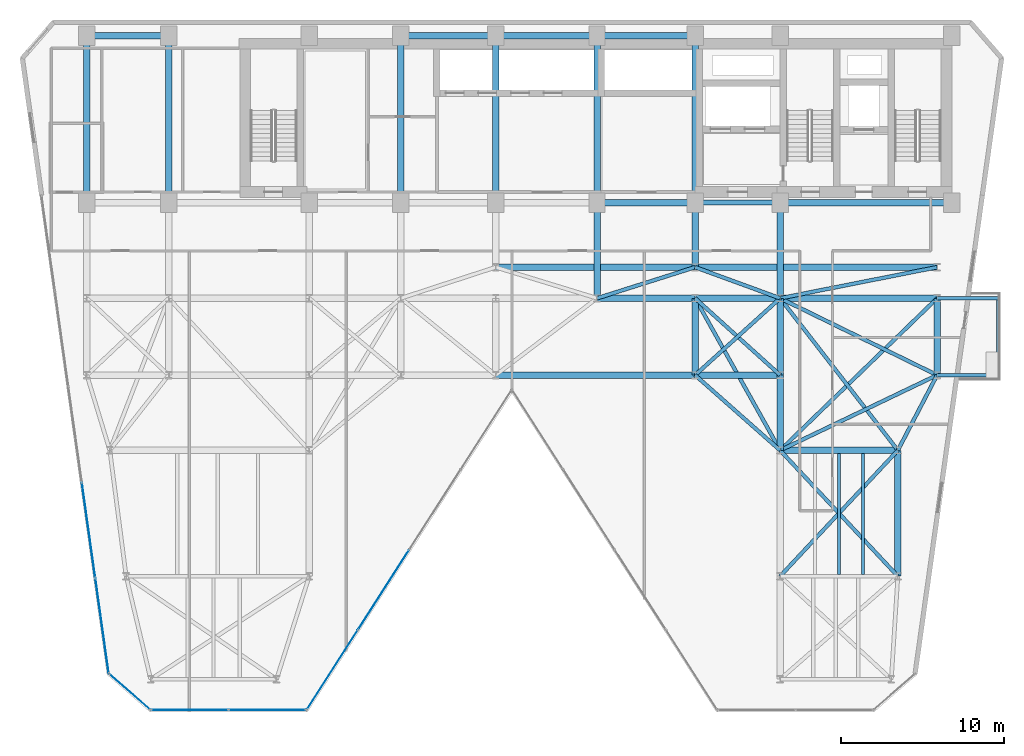
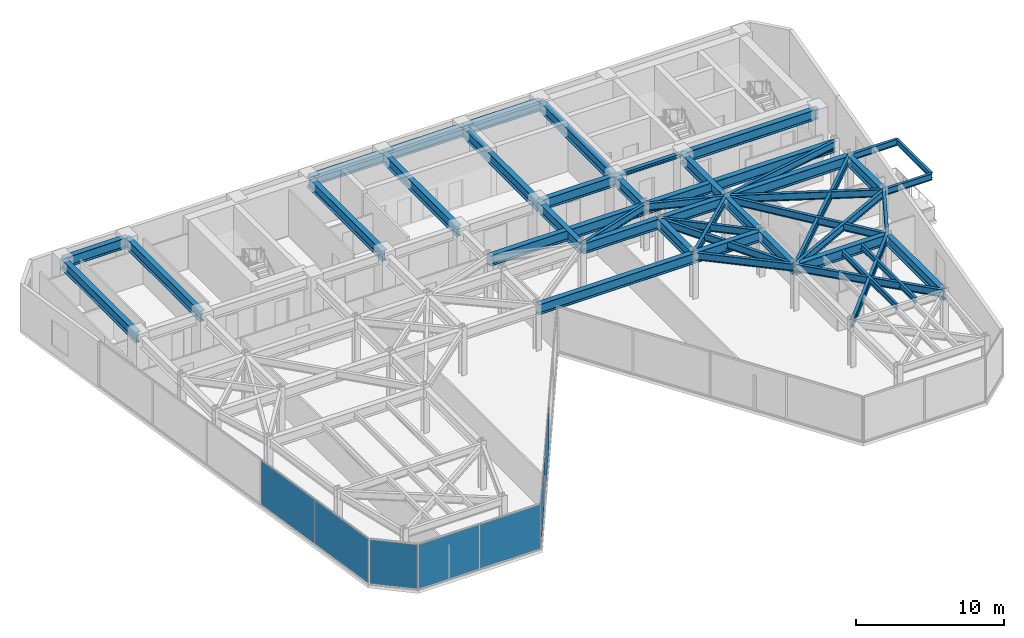
# One storey, part 20 of 26: 48 beams, 7 plates, 4 elements without a shape of their own.
"""IFC4 building model written with IfcOpenShell, lengths in metres."""

from ifc_helpers import new_model, si_unit, direction, frame, origin, origin_2d, place, context, subcontext, project, spatial, rectangle, i_section, extrude, material, layer, layer_set, material_profile, profile_set, type_object, element, aggregate, save


model = new_model("IFC4")

# Units and contexts
model_context = context("Model", 3, precision=1e-05, world=origin(), true_north=direction((0.0, 1.0)))
body_context = subcontext(model_context, "Body", "Model", "MODEL_VIEW")
ifc_project = project(units=[si_unit("LENGTHUNIT", "METRE"), si_unit("AREAUNIT", "SQUARE_METRE"), si_unit("VOLUMEUNIT", "CUBIC_METRE"), si_unit("PLANEANGLEUNIT", "RADIAN"), si_unit("MASSUNIT", "GRAM", prefix="KILO")], contexts=[model_context])

# Site, building, storey
site_placement = place(None, origin())
site = spatial("IfcSite", under=ifc_project, at=site_placement, CompositionType="ELEMENT")
building_placement = place(site_placement, origin())
building = spatial("IfcBuilding", under=site, at=building_placement, Name="Kravanh Interchange Tower", CompositionType="ELEMENT")
storey_placement = place(building_placement, frame((0.0, 0.0, 128.0)))
storey = spatial("IfcBuildingStorey", under=building, at=storey_placement, Name="L30", CompositionType="ELEMENT", Elevation=128.0)

# Beams
ifc_material_1 = material(Name="Structural Steel S355", Category="steel")
ifc_material_profile_1 = material_profile(ifc_material_1, i_section(OverallWidth=0.39990234375, OverallDepth=0.85595703125, WebThickness=0.018310546875, FlangeThickness=0.029296875, FilletRadius=0.02490234375, at=origin_2d()), Name="W33X201")
ifc_profile_set_1 = profile_set([ifc_material_profile_1], Name="Structural Steel S355")
beam_type_1 = type_object("IfcBeamType", Name="Floor Beam W33X201 Structural Steel S355", PredefinedType="BEAM", material=ifc_profile_set_1)
beam_1_placement = place(storey_placement, frame((66.5, 37.35009765625, 3.322021484375), z_axis=(-1.0, 0.0, 0.0), x_axis=(0.0, -1.0, 0.0)))
element("IfcBeam", 1, at=beam_1_placement, inside=storey, type_object=beam_type_1, Name="L30 Primary Floor Girder 5", PredefinedType="BEAM", context=body_context, shape_type="SweptSolid", body=[
    extrude(i_section(OverallWidth=0.39990234375, OverallDepth=0.85595703125, WebThickness=0.018310546875, FlangeThickness=0.029296875, FilletRadius=0.02490234375, at=origin_2d()), origin(), (0.0, 0.0, 1.0), 10.5),
])
beam_2_placement = place(storey_placement, frame((56.0, 37.35009765625, 3.322021484375), z_axis=(0.0, -1.0, 0.0), x_axis=(1.0, 0.0, 0.0)))
element("IfcBeam", 2, at=beam_2_placement, inside=storey, type_object=beam_type_1, Name="L30 Primary Floor Girder 7", PredefinedType="BEAM", context=body_context, shape_type="SweptSolid", body=[
    extrude(i_section(OverallWidth=0.39990234375, OverallDepth=0.85595703125, WebThickness=0.018310546875, FlangeThickness=0.029296875, FilletRadius=0.02490234375, at=origin_2d()), origin(), (0.0, 0.0, 1.0), 5.85009765625),
])
beam_3_placement = place(storey_placement, frame((50.800048828125, 47.550048828125, 3.322021484375), z_axis=(-1.0, 0.0, 0.0), x_axis=(0.0, -1.0, 0.0)))
element("IfcBeam", 3, at=beam_3_placement, inside=storey, type_object=beam_type_1, Name="L30 Primary Floor Girder 8", PredefinedType="BEAM", context=body_context, shape_type="SweptSolid", body=[
    extrude(i_section(OverallWidth=0.39990234375, OverallDepth=0.85595703125, WebThickness=0.018310546875, FlangeThickness=0.029296875, FilletRadius=0.02490234375, at=origin_2d()), origin(), (0.0, 0.0, 1.0), 6.0),
])
beam_4_placement = place(storey_placement, frame((50.800048828125, 47.550048828125, 3.322021484375), z_axis=(0.0, -1.0, 0.0), x_axis=(1.0, 0.0, 0.0)))
element("IfcBeam", 4, at=beam_4_placement, inside=storey, type_object=beam_type_1, Name="L30 Primary Floor Girder 9", PredefinedType="BEAM", context=body_context, shape_type="SweptSolid", body=[
    extrude(i_section(OverallWidth=0.39990234375, OverallDepth=0.85595703125, WebThickness=0.018310546875, FlangeThickness=0.029296875, FilletRadius=0.02490234375, at=origin_2d()), origin(), (0.0, 0.0, 1.0), 10.199951171875),
])
beam_5_placement = place(storey_placement, frame((50.800048828125, 37.35009765625, 3.322021484375), z_axis=(0.0, -1.0, 0.0), x_axis=(1.0, 0.0, 0.0)))
element("IfcBeam", 5, at=beam_5_placement, inside=storey, type_object=beam_type_1, Name="L30 Primary Floor Girder 10", PredefinedType="BEAM", context=body_context, shape_type="SweptSolid", body=[
    extrude(i_section(OverallWidth=0.39990234375, OverallDepth=0.85595703125, WebThickness=0.018310546875, FlangeThickness=0.029296875, FilletRadius=0.02490234375, at=origin_2d()), origin(), (0.0, 0.0, 1.0), 3.9501953125),
])
beam_6_placement = place(storey_placement, frame((50.800048828125, 37.35009765625, 3.322021484375), z_axis=(-1.0, 0.0, 0.0), x_axis=(0.0, -1.0, 0.0)))
element("IfcBeam", 6, at=beam_6_placement, inside=storey, type_object=beam_type_1, Name="L30 Primary Floor Girder 11", PredefinedType="BEAM", context=body_context, shape_type="SweptSolid", body=[
    extrude(i_section(OverallWidth=0.39990234375, OverallDepth=0.85595703125, WebThickness=0.018310546875, FlangeThickness=0.029296875, FilletRadius=0.02490234375, at=origin_2d()), origin(), (0.0, 0.0, 1.0), 6.0),
])
beam_7_placement = place(storey_placement, frame((44.800048828125, 37.35009765625, 3.322021484375), z_axis=(0.0, -1.0, 0.0), x_axis=(1.0, 0.0, 0.0)))
element("IfcBeam", 7, at=beam_7_placement, inside=storey, type_object=beam_type_1, Name="L30 Primary Floor Girder 12", PredefinedType="BEAM", context=body_context, shape_type="SweptSolid", body=[
    extrude(i_section(OverallWidth=0.39990234375, OverallDepth=0.85595703125, WebThickness=0.018310546875, FlangeThickness=0.029296875, FilletRadius=0.02490234375, at=origin_2d()), origin(), (0.0, 0.0, 1.0), 5.85009765625),
])
beam_8_placement = place(storey_placement, frame((44.800048828125, 37.35009765625, 3.322021484375), z_axis=(0.0, 1.0, 0.0), x_axis=(-1.0, 0.0, 0.0)))
element("IfcBeam", 8, at=beam_8_placement, inside=storey, type_object=beam_type_1, Name="L30 Primary Floor Girder 14", PredefinedType="BEAM", context=body_context, shape_type="SweptSolid", body=[
    extrude(i_section(OverallWidth=0.39990234375, OverallDepth=0.85595703125, WebThickness=0.018310546875, FlangeThickness=0.029296875, FilletRadius=0.02490234375, at=origin_2d()), origin(), (0.0, 0.0, 1.0), 10.199951171875),
])
beam_9_placement = place(storey_placement, frame((44.800048828125, 47.550048828125, 3.322021484375), z_axis=(-1.0, 0.0, 0.0), x_axis=(0.0, -1.0, 0.0)))
element("IfcBeam", 9, at=beam_9_placement, inside=storey, type_object=beam_type_1, Name="L30 Primary Floor Girder 15", PredefinedType="BEAM", context=body_context, shape_type="SweptSolid", body=[
    extrude(i_section(OverallWidth=0.39990234375, OverallDepth=0.85595703125, WebThickness=0.018310546875, FlangeThickness=0.029296875, FilletRadius=0.02490234375, at=origin_2d()), origin(), (0.0, 0.0, 1.0), 6.199951171875),
])
beam_10_placement = place(storey_placement, frame((38.60009765625, 37.35009765625, 3.322021484375), z_axis=(0.0, 1.0, 0.0), x_axis=(-1.0, 0.0, 0.0)))
element("IfcBeam", 10, at=beam_10_placement, inside=storey, type_object=beam_type_1, Name="L30 Primary Floor Girder 18", PredefinedType="BEAM", context=body_context, shape_type="SweptSolid", body=[
    extrude(i_section(OverallWidth=0.39990234375, OverallDepth=0.85595703125, WebThickness=0.018310546875, FlangeThickness=0.029296875, FilletRadius=0.02490234375, at=origin_2d()), origin(), (0.0, 0.0, 1.0), 10.199951171875),
])
beam_11_placement = place(storey_placement, frame((38.60009765625, 47.550048828125, 3.322021484375), z_axis=(-1.0, 0.0, 0.0), x_axis=(0.0, -1.0, 0.0)))
element("IfcBeam", 11, at=beam_11_placement, inside=storey, type_object=beam_type_1, Name="L30 Primary Floor Girder 19", PredefinedType="BEAM", context=body_context, shape_type="SweptSolid", body=[
    extrude(i_section(OverallWidth=0.39990234375, OverallDepth=0.85595703125, WebThickness=0.018310546875, FlangeThickness=0.029296875, FilletRadius=0.02490234375, at=origin_2d()), origin(), (0.0, 0.0, 1.0), 5.800048828125),
])
for number, where, z_axis, x_axis, name in (
    (12, (32.800048828125, 37.35009765625, 3.322021484375), (0.0, 1.0, 0.0), (-1.0, 0.0, 0.0), "L30 Primary Floor Girder 22"),
    (13, (18.60009765625, 37.35009765625, 3.322021484375), (0.0, 1.0, 0.0), (-1.0, 0.0, 0.0), "L30 Primary Floor Girder 30"),
):
    element("IfcBeam", number, at=place(storey_placement, frame(where, z_axis=z_axis, x_axis=x_axis)), inside=storey, type_object=beam_type_1, Name=name, PredefinedType="BEAM", context=body_context, shape_type="SweptSolid", body=[
        extrude(i_section(OverallWidth=0.39990234375, OverallDepth=0.85595703125, WebThickness=0.018310546875, FlangeThickness=0.029296875, FilletRadius=0.02490234375, at=origin_2d()), origin(), (0.0, 0.0, 1.0), 10.199951171875),
    ])
beam_12_placement = place(storey_placement, frame((18.60009765625, 47.550048828125, 3.322021484375), z_axis=(-1.0, 0.0, 0.0), x_axis=(0.0, -1.0, 0.0)))
element("IfcBeam", 14, at=beam_12_placement, inside=storey, type_object=beam_type_1, Name="L30 Primary Floor Girder 31", PredefinedType="BEAM", context=body_context, shape_type="SweptSolid", body=[
    extrude(i_section(OverallWidth=0.39990234375, OverallDepth=0.85595703125, WebThickness=0.018310546875, FlangeThickness=0.029296875, FilletRadius=0.02490234375, at=origin_2d()), origin(), (0.0, 0.0, 1.0), 5.0),
])
beam_13_placement = place(storey_placement, frame((13.60009765625, 37.35009765625, 3.322021484375), z_axis=(0.0, 1.0, 0.0), x_axis=(-1.0, 0.0, 0.0)))
element("IfcBeam", 15, at=beam_13_placement, inside=storey, type_object=beam_type_1, Name="L30 Primary Floor Girder 33", PredefinedType="BEAM", context=body_context, shape_type="SweptSolid", body=[
    extrude(i_section(OverallWidth=0.39990234375, OverallDepth=0.85595703125, WebThickness=0.018310546875, FlangeThickness=0.029296875, FilletRadius=0.02490234375, at=origin_2d()), origin(), (0.0, 0.0, 1.0), 10.199951171875),
])
beam_14_placement = place(storey_placement, frame((38.60009765625, 26.800048828125, 3.322021484375), z_axis=(1.0, 0.0, 0.0), x_axis=(0.0, 1.0, 0.0)))
element("IfcBeam", 16, at=beam_14_placement, inside=storey, type_object=beam_type_1, Name="L30 Primary Floor Girder 56", PredefinedType="BEAM", context=body_context, shape_type="SweptSolid", body=[
    extrude(i_section(OverallWidth=0.39990234375, OverallDepth=0.85595703125, WebThickness=0.018310546875, FlangeThickness=0.029296875, FilletRadius=0.02490234375, at=origin_2d()), origin(), (0.0, 0.0, 1.0), 12.199951171875),
])
beam_15_placement = place(storey_placement, frame((50.800048828125, 26.800048828125, 3.322021484375), z_axis=(0.0, 1.0, 0.0), x_axis=(-1.0, 0.0, 0.0)))
element("IfcBeam", 17, at=beam_15_placement, inside=storey, type_object=beam_type_1, Name="L30 Primary Floor Girder 57", PredefinedType="BEAM", context=body_context, shape_type="SweptSolid", body=[
    extrude(i_section(OverallWidth=0.39990234375, OverallDepth=0.85595703125, WebThickness=0.018310546875, FlangeThickness=0.029296875, FilletRadius=0.02490234375, at=origin_2d()), origin(), (0.0, 0.0, 1.0), 4.699951171875),
])
beam_16_placement = place(storey_placement, frame((50.800048828125, 26.800048828125, 3.322021484375), z_axis=(1.0, 0.0, 0.0), x_axis=(0.0, 1.0, 0.0)))
element("IfcBeam", 18, at=beam_16_placement, inside=storey, type_object=beam_type_1, Name="L30 Primary Floor Girder 58", PredefinedType="BEAM", context=body_context, shape_type="SweptSolid", body=[
    extrude(i_section(OverallWidth=0.39990234375, OverallDepth=0.85595703125, WebThickness=0.018310546875, FlangeThickness=0.029296875, FilletRadius=0.02490234375, at=origin_2d()), origin(), (0.0, 0.0, 1.0), 5.199951171875),
])
beam_17_placement = place(storey_placement, frame((56.0, 26.800048828125, 3.322021484375), z_axis=(0.0, -1.0, 0.0), x_axis=(1.0, 0.0, 0.0)))
element("IfcBeam", 19, at=beam_17_placement, inside=storey, type_object=beam_type_1, Name="L30 Primary Floor Girder 61", PredefinedType="BEAM", context=body_context, shape_type="SweptSolid", body=[
    extrude(i_section(OverallWidth=0.39990234375, OverallDepth=0.85595703125, WebThickness=0.018310546875, FlangeThickness=0.029296875, FilletRadius=0.02490234375, at=origin_2d()), origin(), (0.0, 0.0, 1.0), 4.60009765625),
])
for number, where, z_axis, x_axis, name in (
    (20, (56.0, 26.800048828125, 3.322021484375), (0.0, 1.0, 0.0), (-1.0, 0.0, 0.0), "L30 Primary Floor Girder 62"),
    (21, (65.60009765625, 26.800048828125, 3.322021484375), (0.0, 1.0, 0.0), (-1.0, 0.0, 0.0), "L30 Primary Floor Girder 65"),
):
    element("IfcBeam", number, at=place(storey_placement, frame(where, z_axis=z_axis, x_axis=x_axis)), inside=storey, type_object=beam_type_1, Name=name, PredefinedType="BEAM", context=body_context, shape_type="SweptSolid", body=[
        extrude(i_section(OverallWidth=0.39990234375, OverallDepth=0.85595703125, WebThickness=0.018310546875, FlangeThickness=0.029296875, FilletRadius=0.02490234375, at=origin_2d()), origin(), (0.0, 0.0, 1.0), 4.699951171875),
    ])
beam_18_placement = place(storey_placement, frame((44.800048828125, 31.5, 3.322021484375), z_axis=(1.0, 0.0, 0.0), x_axis=(0.0, 1.0, 0.0)))
element("IfcBeam", 22, at=beam_18_placement, inside=storey, type_object=beam_type_1, Name="L30 Primary Floor Girder 83", PredefinedType="BEAM", context=body_context, shape_type="SweptSolid", body=[
    extrude(i_section(OverallWidth=0.39990234375, OverallDepth=0.85595703125, WebThickness=0.018310546875, FlangeThickness=0.029296875, FilletRadius=0.02490234375, at=origin_2d()), origin(), (0.0, 0.0, 1.0), 6.0),
])
beam_19_placement = place(storey_placement, frame((50.800048828125, 31.5, 3.322021484375), z_axis=(1.0, 0.0, 0.0), x_axis=(0.0, 1.0, 0.0)))
element("IfcBeam", 23, at=beam_19_placement, inside=storey, type_object=beam_type_1, Name="L30 Primary Floor Girder 86", PredefinedType="BEAM", context=body_context, shape_type="SweptSolid", body=[
    extrude(i_section(OverallWidth=0.39990234375, OverallDepth=0.85595703125, WebThickness=0.018310546875, FlangeThickness=0.029296875, FilletRadius=0.02490234375, at=origin_2d()), origin(), (0.0, 0.0, 1.0), 5.199951171875),
])
beam_20_placement = place(storey_placement, frame((56.0, 31.5, 3.322021484375), z_axis=(1.0, 0.0, 0.0), x_axis=(0.0, 1.0, 0.0)))
element("IfcBeam", 24, at=beam_20_placement, inside=storey, type_object=beam_type_1, Name="L30 Primary Floor Girder 90", PredefinedType="BEAM", context=body_context, shape_type="SweptSolid", body=[
    extrude(i_section(OverallWidth=0.39990234375, OverallDepth=0.85595703125, WebThickness=0.018310546875, FlangeThickness=0.029296875, FilletRadius=0.02490234375, at=origin_2d()), origin(), (0.0, 0.0, 1.0), 9.60009765625),
])
beam_21_placement = place(storey_placement, frame((63.199951171875, 14.5, 3.322021484375), z_axis=(0.0, 1.0, 0.0), x_axis=(-1.0, 0.0, 0.0)))
element("IfcBeam", 25, at=beam_21_placement, inside=storey, type_object=beam_type_1, Name="L30 Primary Floor Girder 106", PredefinedType="BEAM", context=body_context, shape_type="SweptSolid", body=[
    extrude(i_section(OverallWidth=0.39990234375, OverallDepth=0.85595703125, WebThickness=0.018310546875, FlangeThickness=0.029296875, FilletRadius=0.02490234375, at=origin_2d()), origin(), (0.0, 0.0, 1.0), 7.699951171875),
])
beam_22_placement = place(storey_placement, frame((56.0, 22.199951171875, 3.322021484375), z_axis=(1.0, 0.0, 0.0), x_axis=(0.0, 1.0, 0.0)))
element("IfcBeam", 26, at=beam_22_placement, inside=storey, type_object=beam_type_1, Name="L30 Primary Floor Girder 109", PredefinedType="BEAM", context=body_context, shape_type="SweptSolid", body=[
    extrude(i_section(OverallWidth=0.39990234375, OverallDepth=0.85595703125, WebThickness=0.018310546875, FlangeThickness=0.029296875, FilletRadius=0.02490234375, at=origin_2d()), origin(), (0.0, 0.0, 1.0), 7.199951171875),
])
beam_23_placement = place(storey_placement, frame((38.60009765625, 33.39990234375, 3.322021484375), z_axis=(1.0, 0.0, 0.0), x_axis=(0.0, 1.0, 0.0)))
element("IfcBeam", 27, at=beam_23_placement, inside=storey, type_object=beam_type_1, Name="L30 Primary Floor Girder 111", PredefinedType="BEAM", context=body_context, shape_type="SweptSolid", body=[
    extrude(i_section(OverallWidth=0.39990234375, OverallDepth=0.85595703125, WebThickness=0.018310546875, FlangeThickness=0.029296875, FilletRadius=0.02490234375, at=origin_2d()), origin(), (0.0, 0.0, 1.0), 12.199951171875),
])
beam_24_placement = place(storey_placement, frame((50.800048828125, 33.39990234375, 3.322021484375), z_axis=(1.0, 0.0, 0.0), x_axis=(0.0, 1.0, 0.0)))
element("IfcBeam", 28, at=beam_24_placement, inside=storey, type_object=beam_type_1, Name="L30 Primary Floor Girder 112", PredefinedType="BEAM", context=body_context, shape_type="SweptSolid", body=[
    extrude(i_section(OverallWidth=0.39990234375, OverallDepth=0.85595703125, WebThickness=0.018310546875, FlangeThickness=0.029296875, FilletRadius=0.02490234375, at=origin_2d()), origin(), (0.0, 0.0, 1.0), 14.800048828125),
])
ifc_material_2 = material(Name="Structural Steel S355", Category="steel")
ifc_material_profile_2 = material_profile(ifc_material_2, i_section(OverallWidth=0.18994140625, OverallDepth=0.45703125, WebThickness=0.009033203125, FlangeThickness=0.014404296875, FilletRadius=0.01806640625, at=origin_2d()), Name="W18X50")
ifc_profile_set_2 = profile_set([ifc_material_profile_2], Name="Structural Steel S355")
beam_type_2 = type_object("IfcBeamType", Name="Floor Joist W18X50 Structural Steel S355", PredefinedType="JOIST", material=ifc_profile_set_2)
for number, where, z_axis, x_axis, name in (
    (29, (59.60009765625, 14.60888671875, 3.521484375), (0.0, 1.0, 0.0), (-1.0, 0.0, 0.0), "L30 Secondary Floor Joist 11"),
    (30, (61.074951171875, 14.60888671875, 3.521484375), (0.0, 1.0, 0.0), (-1.0, 0.0, 0.0), "L30 Secondary Floor Joist 12"),
):
    element("IfcBeam", number, at=place(storey_placement, frame(where, z_axis=z_axis, x_axis=x_axis)), inside=storey, type_object=beam_type_2, Name=name, PredefinedType="JOIST", context=body_context, shape_type="SweptSolid", body=[
        extrude(i_section(OverallWidth=0.18994140625, OverallDepth=0.45703125, WebThickness=0.009033203125, FlangeThickness=0.014404296875, FilletRadius=0.01806640625, at=origin_2d()), origin(), (0.0, 0.0, 1.0), 7.39599609375),
    ])
beam_25_placement = place(storey_placement, frame((69.330078125, 26.800048828125, 3.521484375), z_axis=(0.0, 1.0, 0.0), x_axis=(-1.0, 0.0, 0.0)))
element("IfcBeam", 31, at=beam_25_placement, inside=storey, type_object=beam_type_2, Name="L30 Balcony Edge Tie Beam E", PredefinedType="JOIST", context=body_context, shape_type="SweptSolid", body=[
    extrude(i_section(OverallWidth=0.18994140625, OverallDepth=0.45703125, WebThickness=0.009033203125, FlangeThickness=0.014404296875, FilletRadius=0.01806640625, at=origin_2d()), origin(), (0.0, 0.0, 1.0), 4.699951171875),
])
ifc_material_3 = material(Name="Structural Steel S355", Category="steel")
ifc_material_profile_3 = material_profile(ifc_material_3, i_section(OverallWidth=0.304931640625, OverallDepth=0.306884765625, WebThickness=0.010009765625, FlangeThickness=0.015380859375, FilletRadius=0.014892578125, at=origin_2d()), Name="W12X65")
ifc_profile_set_3 = profile_set([ifc_material_profile_3], Name="Structural Steel S355")
beam_type_3 = type_object("IfcBeamType", Name="Floor Lintel W12X65 Structural Steel S355", PredefinedType="LINTEL", material=ifc_profile_set_3)
beam_26_placement = place(storey_placement, frame((50.800048828125, 37.35009765625, 3.596435546875), z_axis=(1.0, 0.0, 0.0), x_axis=(0.0, 1.0, 0.0)))
element("IfcBeam", 32, at=beam_26_placement, inside=storey, type_object=beam_type_3, Name="L30 Core Coupling Lintel 1", PredefinedType="LINTEL", context=body_context, shape_type="SweptSolid", body=[
    extrude(i_section(OverallWidth=0.304931640625, OverallDepth=0.306884765625, WebThickness=0.010009765625, FlangeThickness=0.015380859375, FilletRadius=0.014892578125, at=origin_2d()), origin(), (0.0, 0.0, 1.0), 5.199951171875),
])
ifc_material_4 = material(Name="Structural Steel S355", Category="steel")
ifc_material_profile_4 = material_profile(ifc_material_4, i_section(OverallWidth=0.2099609375, OverallDepth=0.537109375, WebThickness=0.010986328125, FlangeThickness=0.017333984375, FilletRadius=0.02001953125, at=origin_2d()), Name="W21X68")
ifc_profile_set_4 = profile_set([ifc_material_profile_4], Name="Structural Steel S355")
beam_type_4 = type_object("IfcBeamType", Name="Floor Spandrel W21X68 Structural Steel S355", PredefinedType="SPANDREL", material=ifc_profile_set_4)
for number, where, z_axis, x_axis, name in (
    (33, (65.60009765625, 26.800048828125, 3.4814453125), (1.0, 0.0, 0.0), (0.0, 1.0, 0.0), "L30 Balcony Cantilever Outrigger E1"),
    (34, (65.60009765625, 31.5, 3.4814453125), (1.0, 0.0, 0.0), (0.0, 1.0, 0.0), "L30 Balcony Cantilever Outrigger E2"),
):
    element("IfcBeam", number, at=place(storey_placement, frame(where, z_axis=z_axis, x_axis=x_axis)), inside=storey, type_object=beam_type_4, Name=name, PredefinedType="SPANDREL", context=body_context, shape_type="SweptSolid", body=[
        extrude(i_section(OverallWidth=0.2099609375, OverallDepth=0.537109375, WebThickness=0.010986328125, FlangeThickness=0.017333984375, FilletRadius=0.02001953125, at=origin_2d()), origin(), (0.0, 0.0, 1.0), 3.72998046875),
    ])
ifc_material_5 = material(Name="Structural Steel S355", Category="steel")
ifc_material_profile_5 = material_profile(ifc_material_5, i_section(OverallWidth=0.22802734375, OverallDepth=0.60791015625, WebThickness=0.01123046875, FlangeThickness=0.017333984375, FilletRadius=0.02197265625, at=origin_2d()), Name="W24X76")
ifc_profile_set_5 = profile_set([ifc_material_profile_5], Name="Structural Steel S355")
beam_type_5 = type_object("IfcBeamType", Name="Floor Spandrel W24X76 Structural Steel S355", PredefinedType="SPANDREL", material=ifc_profile_set_5)
beam_27_placement = place(storey_placement, frame((50.800048828125, 26.800048828125, 3.446044921875), z_axis=(0.74898649432, -0.662585263439, 0.0), x_axis=(0.662585263439, 0.74898649432, 0.0)))
element("IfcBeam", 35, at=beam_27_placement, inside=storey, type_object=beam_type_5, Name="L30 Perimeter Spandrel 59", PredefinedType="SPANDREL", context=body_context, shape_type="SweptSolid", body=[
    extrude(i_section(OverallWidth=0.22802734375, OverallDepth=0.60791015625, WebThickness=0.01123046875, FlangeThickness=0.017333984375, FilletRadius=0.02197265625, at=origin_2d()), origin(), (0.0, 0.0, 1.0), 6.942626953125),
])
for number, where, z_axis, x_axis, name in (
    (36, (50.800048828125, 26.800048828125, 3.446044921875), (0.741874009795, 0.670539300557, 0.0), (-0.670539300557, 0.741874009795, 0.0), "L30 Perimeter Spandrel 60"),
    (37, (56.0, 26.800048828125, 3.446044921875), (-0.741874009795, 0.670539300557, 0.0), (-0.670539300557, -0.741874009795, 0.0), "L30 Perimeter Spandrel 63"),
):
    element("IfcBeam", number, at=place(storey_placement, frame(where, z_axis=z_axis, x_axis=x_axis)), inside=storey, type_object=beam_type_5, Name=name, PredefinedType="SPANDREL", context=body_context, shape_type="SweptSolid", body=[
        extrude(i_section(OverallWidth=0.22802734375, OverallDepth=0.60791015625, WebThickness=0.01123046875, FlangeThickness=0.017333984375, FilletRadius=0.02197265625, at=origin_2d()), origin(), (0.0, 0.0, 1.0), 7.00927734375),
    ])
beam_28_placement = place(storey_placement, frame((65.60009765625, 26.800048828125, 3.446044921875), z_axis=(-0.462580479178, -0.886577295155, 0.0), x_axis=(0.886577295155, -0.462580479178, 0.0)))
element("IfcBeam", 38, at=beam_28_placement, inside=storey, type_object=beam_type_5, Name="L30 Perimeter Spandrel 66", PredefinedType="SPANDREL", context=body_context, shape_type="SweptSolid", body=[
    extrude(i_section(OverallWidth=0.22802734375, OverallDepth=0.60791015625, WebThickness=0.01123046875, FlangeThickness=0.017333984375, FilletRadius=0.02197265625, at=origin_2d()), origin(), (0.0, 0.0, 1.0), 5.188720703125),
])
beam_29_placement = place(storey_placement, frame((65.60009765625, 26.800048828125, 3.446044921875), z_axis=(-0.901814166789, -0.432124066188, 0.0), x_axis=(0.432124066188, -0.901814166789, 0.0)))
element("IfcBeam", 39, at=beam_29_placement, inside=storey, type_object=beam_type_5, Name="L30 Perimeter Spandrel 67", PredefinedType="SPANDREL", context=body_context, shape_type="SweptSolid", body=[
    extrude(i_section(OverallWidth=0.22802734375, OverallDepth=0.60791015625, WebThickness=0.01123046875, FlangeThickness=0.017333984375, FilletRadius=0.02197265625, at=origin_2d()), origin(), (0.0, 0.0, 1.0), 10.645263671875),
])
beam_30_placement = place(storey_placement, frame((65.60009765625, 26.800048828125, 3.446044921875), z_axis=(-0.898141688387, 0.439706160499, 0.0), x_axis=(-0.439706160499, -0.898141688387, 0.0)))
element("IfcBeam", 40, at=beam_30_placement, inside=storey, type_object=beam_type_5, Name="L30 Perimeter Spandrel 68", PredefinedType="SPANDREL", context=body_context, shape_type="SweptSolid", body=[
    extrude(i_section(OverallWidth=0.22802734375, OverallDepth=0.60791015625, WebThickness=0.01123046875, FlangeThickness=0.017333984375, FilletRadius=0.02197265625, at=origin_2d()), origin(), (0.0, 0.0, 1.0), 10.68896484375),
])
beam_31_placement = place(storey_placement, frame((44.800048828125, 31.5, 3.446044921875), z_axis=(0.953346691051, 0.301877602122, 0.0), x_axis=(-0.301877602122, 0.953346691051, 0.0)))
element("IfcBeam", 41, at=beam_31_placement, inside=storey, type_object=beam_type_5, Name="L30 Perimeter Spandrel 84", PredefinedType="SPANDREL", context=body_context, shape_type="SweptSolid", body=[
    extrude(i_section(OverallWidth=0.22802734375, OverallDepth=0.60791015625, WebThickness=0.01123046875, FlangeThickness=0.017333984375, FilletRadius=0.02197265625, at=origin_2d()), origin(), (0.0, 0.0, 1.0), 6.293701171875),
])
beam_32_placement = place(storey_placement, frame((50.800048828125, 31.5, 3.446044921875), z_axis=(0.488026248114, -0.872828952975, 0.0), x_axis=(0.872828952975, 0.488026248114, 0.0)))
element("IfcBeam", 42, at=beam_32_placement, inside=storey, type_object=beam_type_5, Name="L30 Perimeter Spandrel 87", PredefinedType="SPANDREL", context=body_context, shape_type="SweptSolid", body=[
    extrude(i_section(OverallWidth=0.22802734375, OverallDepth=0.60791015625, WebThickness=0.01123046875, FlangeThickness=0.017333984375, FilletRadius=0.02197265625, at=origin_2d()), origin(), (0.0, 0.0, 1.0), 10.655029296875),
])
beam_33_placement = place(storey_placement, frame((56.0, 31.5, 3.446044921875), z_axis=(-0.93926957103, 0.343180233896, 0.0), x_axis=(-0.343180233896, -0.93926957103, 0.0)))
element("IfcBeam", 43, at=beam_33_placement, inside=storey, type_object=beam_type_5, Name="L30 Perimeter Spandrel 89", PredefinedType="SPANDREL", context=body_context, shape_type="SweptSolid", body=[
    extrude(i_section(OverallWidth=0.22802734375, OverallDepth=0.60791015625, WebThickness=0.01123046875, FlangeThickness=0.017333984375, FilletRadius=0.02197265625, at=origin_2d()), origin(), (0.0, 0.0, 1.0), 5.5361328125),
])
beam_34_placement = place(storey_placement, frame((56.0, 31.5, 3.446044921875), z_axis=(0.980974000807, 0.194139150457, 0.0), x_axis=(-0.194139150457, 0.980974000807, 0.0)))
element("IfcBeam", 44, at=beam_34_placement, inside=storey, type_object=beam_type_5, Name="L30 Perimeter Spandrel 91", PredefinedType="SPANDREL", context=body_context, shape_type="SweptSolid", body=[
    extrude(i_section(OverallWidth=0.22802734375, OverallDepth=0.60791015625, WebThickness=0.01123046875, FlangeThickness=0.017333984375, FilletRadius=0.02197265625, at=origin_2d()), origin(), (0.0, 0.0, 1.0), 9.786376953125),
])
beam_35_placement = place(storey_placement, frame((56.0, 31.5, 3.446044921875), z_axis=(0.612168587637, -0.790727273028, 0.0), x_axis=(0.790727273028, 0.612168587637, 0.0)))
element("IfcBeam", 45, at=beam_35_placement, inside=storey, type_object=beam_type_5, Name="L30 Perimeter Spandrel 92", PredefinedType="SPANDREL", context=body_context, shape_type="SweptSolid", body=[
    extrude(i_section(OverallWidth=0.22802734375, OverallDepth=0.60791015625, WebThickness=0.01123046875, FlangeThickness=0.017333984375, FilletRadius=0.02197265625, at=origin_2d()), origin(), (0.0, 0.0, 1.0), 11.761474609375),
])
beam_36_placement = place(storey_placement, frame((65.60009765625, 31.5, 3.446044921875), z_axis=(-0.718241934329, -0.695793449072, 0.0), x_axis=(0.695793449072, -0.718241934329, 0.0)))
element("IfcBeam", 46, at=beam_36_placement, inside=storey, type_object=beam_type_5, Name="L30 Perimeter Spandrel 94", PredefinedType="SPANDREL", context=body_context, shape_type="SweptSolid", body=[
    extrude(i_section(OverallWidth=0.22802734375, OverallDepth=0.60791015625, WebThickness=0.01123046875, FlangeThickness=0.017333984375, FilletRadius=0.02197265625, at=origin_2d()), origin(), (0.0, 0.0, 1.0), 13.3662109375),
])
for number, where, z_axis, x_axis, name in (
    (47, (56.0, 14.5, 3.446044921875), (0.682993762113, 0.73042420614, 0.0), (-0.73042420614, 0.682993762113, 0.0), "L30 Perimeter Spandrel 105"),
    (48, (63.199951171875, 14.5, 3.446044921875), (-0.682993762113, 0.73042420614, 0.0), (-0.73042420614, -0.682993762113, 0.0), "L30 Perimeter Spandrel 107"),
):
    element("IfcBeam", number, at=place(storey_placement, frame(where, z_axis=z_axis, x_axis=x_axis)), inside=storey, type_object=beam_type_5, Name=name, PredefinedType="SPANDREL", context=body_context, shape_type="SweptSolid", body=[
        extrude(i_section(OverallWidth=0.22802734375, OverallDepth=0.60791015625, WebThickness=0.01123046875, FlangeThickness=0.017333984375, FilletRadius=0.02197265625, at=origin_2d()), origin(), (0.0, 0.0, 1.0), 10.541748046875),
    ])

# Curtain wall, plates
ifc_material_6 = material(Name="Anodised Bronze Aluminium", Category="aluminium")
ifc_layer_1 = layer(ifc_material_6, 0.179931640625)
ifc_layer_set_1 = layer_set([ifc_layer_1], Name="Unitised Curtain Wall System CW-Z2 Mid Office")
curtain_wall_type = type_object("IfcCurtainWallType", Name="Unitised Curtain Wall System CW-Z2 Mid Office", PredefinedType="NOTDEFINED", material=ifc_layer_set_1)
curtain_wall_1_placement = place(storey_placement, origin())
curtain_wall_1 = element("IfcCurtainWall", 49, at=curtain_wall_1_placement, inside=storey, type_object=curtain_wall_type, Name="L30 Unitised Curtain Wall CW-L30-01", PredefinedType="NOTDEFINED")
ifc_material_7 = material(Name="Low-E Laminated Architectural Glass", Category="glass")
ifc_layer_2 = layer(ifc_material_7, 0.02587890625)
ifc_layer_set_2 = layer_set([ifc_layer_2], Name="Solar-Control Double Glazing 26mm")
plate_type = type_object("IfcPlateType", Name="Solar-Control Double Glazing 26mm", PredefinedType="CURTAIN_PANEL", material=ifc_layer_set_2)
plate_1_placement = place(storey_placement, frame((14.524169921875, 11.479736328125, 0.06005859375), z_axis=(0.0, 0.0, 1.0), x_axis=(-0.13917285118, 0.990268103846, 0.0)))
plate_1 = element("IfcPlate", 50, at=plate_1_placement, type_object=plate_type, Name="CW-Z2 panel 1.1", PredefinedType="CURTAIN_PANEL", context=body_context, shape_type="SweptSolid", body=[
    extrude(rectangle(XDim=5.81982421875, YDim=0.02587890625, at=origin_2d()), origin(), (0.0, 0.0, 1.0), 3.6298828125),
])
plate_2_placement = place(storey_placement, frame((13.70361328125, 17.317138671875, 0.06005859375), z_axis=(0.0, 0.0, 1.0), x_axis=(-0.13917285118, 0.990268103846, 0.0)))
plate_2 = element("IfcPlate", 51, at=plate_2_placement, type_object=plate_type, Name="CW-Z2 panel 2.1", PredefinedType="CURTAIN_PANEL", context=body_context, shape_type="SweptSolid", body=[
    extrude(rectangle(XDim=5.849853515625, YDim=0.02587890625, at=origin_2d()), origin(), (0.0, 0.0, 1.0), 3.6298828125),
])
aggregate(curtain_wall_1, [plate_1, plate_2])

curtain_wall_2_placement = place(storey_placement, origin())
curtain_wall_2 = element("IfcCurtainWall", 52, at=curtain_wall_2_placement, inside=storey, type_object=curtain_wall_type, Name="L30 Unitised Curtain Wall CW-L30-05", PredefinedType="NOTDEFINED")
plate_3_placement = place(storey_placement, frame((31.74658203125, 13.6708984375, 0.06005859375), z_axis=(0.0, 0.0, 1.0), x_axis=(-0.539664865919, -0.841879939476, 0.0)))
plate_3 = element("IfcPlate", 53, at=plate_3_placement, type_object=plate_type, Name="CW-Z2 panel 3.1", PredefinedType="CURTAIN_PANEL", context=body_context, shape_type="SweptSolid", body=[
    extrude(rectangle(XDim=5.760986328125, YDim=0.02587890625, at=origin_2d()), origin(), (0.0, 0.0, 1.0), 3.6298828125),
])
plate_4_placement = place(storey_placement, frame((28.61328125, 8.782958984375, 0.06005859375), z_axis=(0.0, 0.0, 1.0), x_axis=(-0.539664865919, -0.841879939476, 0.0)))
plate_4 = element("IfcPlate", 54, at=plate_4_placement, type_object=plate_type, Name="CW-Z2 panel 4.1", PredefinedType="CURTAIN_PANEL", context=body_context, shape_type="SweptSolid", body=[
    extrude(rectangle(XDim=5.73095703125, YDim=0.02587890625, at=origin_2d()), origin(), (0.0, 0.0, 1.0), 3.6298828125),
])
aggregate(curtain_wall_2, [plate_3, plate_4])

curtain_wall_3_placement = place(storey_placement, origin())
curtain_wall_3 = element("IfcCurtainWall", 55, at=curtain_wall_3_placement, inside=storey, type_object=curtain_wall_type, Name="L30 Unitised Curtain Wall CW-L30-06", PredefinedType="NOTDEFINED")
plate_5_placement = place(storey_placement, frame((24.63330078125, 6.320068359375, 0.06005859375), z_axis=(0.0, 0.0, 1.0), x_axis=(-1.0, 0.0, 0.0)))
plate_5 = element("IfcPlate", 56, at=plate_5_placement, type_object=plate_type, Name="CW-Z2 panel 1.1", PredefinedType="CURTAIN_PANEL", context=body_context, shape_type="SweptSolid", body=[
    extrude(rectangle(XDim=4.682373046875, YDim=0.02587890625, at=origin_2d()), origin(), (0.0, 0.0, 1.0), 3.6298828125),
])
plate_6_placement = place(storey_placement, frame((19.890869140625, 6.320068359375, 0.06005859375), z_axis=(0.0, 0.0, 1.0), x_axis=(-1.0, 0.0, 0.0)))
plate_6 = element("IfcPlate", 57, at=plate_6_placement, type_object=plate_type, Name="CW-Z2 panel 2.1", PredefinedType="CURTAIN_PANEL", context=body_context, shape_type="SweptSolid", body=[
    extrude(rectangle(XDim=4.682373046875, YDim=0.02587890625, at=origin_2d()), origin(), (0.0, 0.0, 1.0), 3.6298828125),
])
aggregate(curtain_wall_3, [plate_5, plate_6])

# Curtain wall, plate
curtain_wall_4_placement = place(storey_placement, origin())
curtain_wall_4 = element("IfcCurtainWall", 58, at=curtain_wall_4_placement, inside=storey, type_object=curtain_wall_type, Name="L30 Unitised Curtain Wall CW-L30-07", PredefinedType="NOTDEFINED")
plate_7_placement = place(storey_placement, frame((16.213623046875, 7.429443359375, 0.06005859375), z_axis=(0.0, 0.0, 1.0), x_axis=(-0.754719458103, 0.656047665617, 0.0)))
plate_7 = element("IfcPlate", 59, at=plate_7_placement, type_object=plate_type, Name="CW-Z2 panel 1.1", PredefinedType="CURTAIN_PANEL", context=body_context, shape_type="SweptSolid", body=[
    extrude(rectangle(XDim=3.261962890625, YDim=0.02587890625, at=origin_2d()), origin(), (0.0, 0.0, 1.0), 3.6298828125),
])
aggregate(curtain_wall_4, [plate_7])

save(model, "model.ifc")
